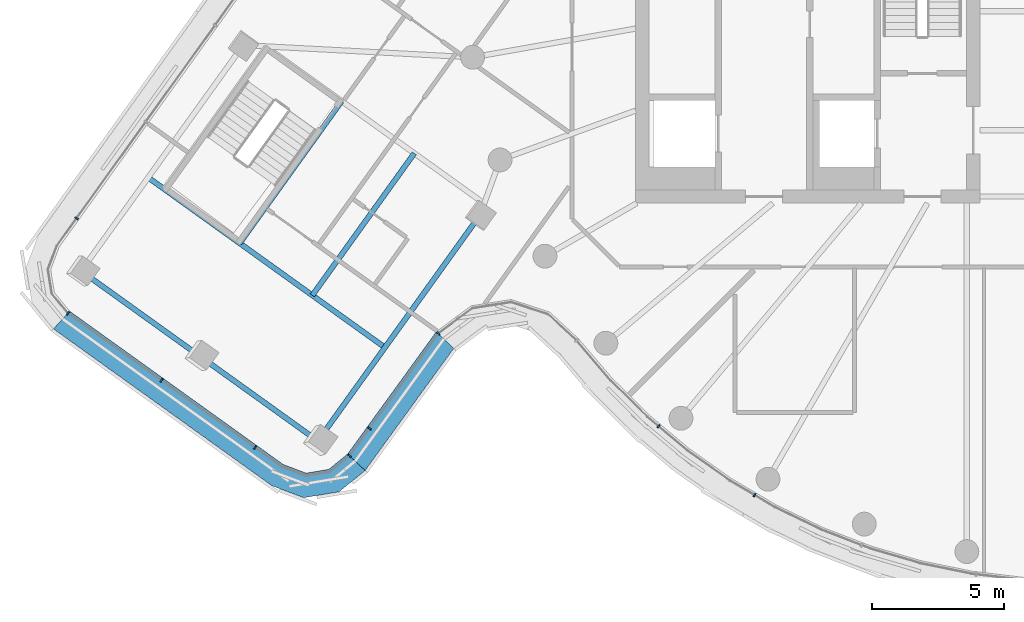
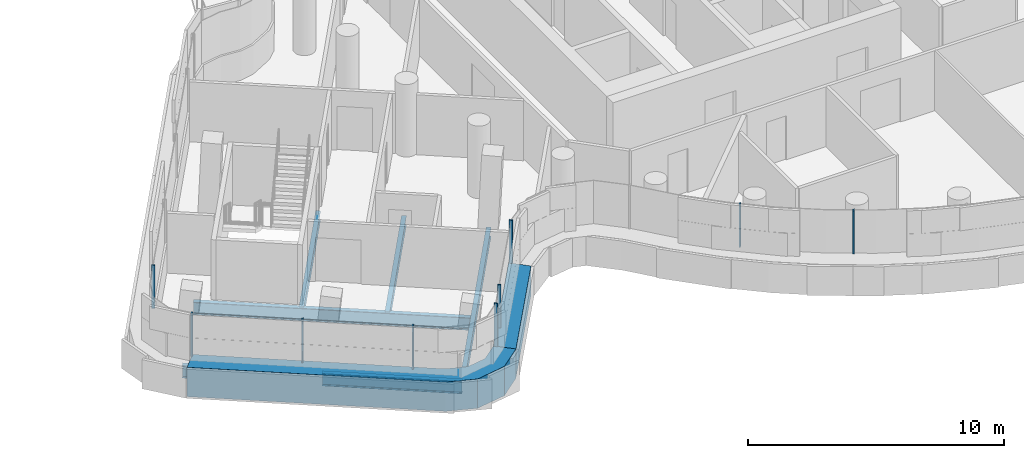
# One storey, part 2 of 27: 11 members, 6 beams, 4 elements without a shape of their own.
"""IFC4 building model written with IfcOpenShell, lengths in metres."""

from ifc_helpers import new_model, si_unit, direction, frame, origin, origin_2d, place, context, subcontext, project, spatial, polyline, rectangle, i_section, outline, extrude, material, layer, layer_set, material_profile, profile_set, type_object, element, aggregate, save


model = new_model("IFC4")

# Units and contexts
model_context = context("Model", 3, precision=1e-05, world=origin(), true_north=direction((0.0, 1.0)))
body_context = subcontext(model_context, "Body", "Model", "MODEL_VIEW")
ifc_project = project(units=[si_unit("LENGTHUNIT", "METRE"), si_unit("AREAUNIT", "SQUARE_METRE"), si_unit("VOLUMEUNIT", "CUBIC_METRE"), si_unit("PLANEANGLEUNIT", "RADIAN"), si_unit("MASSUNIT", "GRAM", prefix="KILO")], contexts=[model_context])

# Site, building, storey
site_placement = place(None, origin())
site = spatial("IfcSite", under=ifc_project, at=site_placement, CompositionType="ELEMENT")
building_placement = place(site_placement, origin())
building = spatial("IfcBuilding", under=site, at=building_placement, Name="Tamarind Cross Interchange Tower", CompositionType="ELEMENT")
storey_placement = place(building_placement, frame((0.0, 0.0, 230.699951171875)))
storey = spatial("IfcBuildingStorey", under=building, at=storey_placement, Name="L58", CompositionType="ELEMENT", Elevation=230.699951171875)

# Beams
ifc_material_1 = material(Name="Steel Q355B", Category="steel")
ifc_material_profile_1 = material_profile(ifc_material_1, i_section(OverallWidth=0.198974609375, OverallDepth=0.446044921875, WebThickness=0.008056640625, FlangeThickness=0.011962890625, FilletRadius=0.012939453125, at=origin_2d()), Name="HN 446x199x8x12")
ifc_profile_set_1 = profile_set([ifc_material_profile_1], Name="Steel Q355B")
beam_type_1 = type_object("IfcBeamType", Name="Composite beam HN 446x199x8x12 Q355B", PredefinedType="BEAM", material=ifc_profile_set_1)
beam_1_placement = place(storey_placement, frame((-28.490234375, -18.473876953125, -0.363037109375), z_axis=(0.583122923819, 0.81238393369, 0.0), x_axis=(-0.81238393369, 0.583122923819, 0.0)))
element("IfcBeam", 1, at=beam_1_placement, inside=storey, type_object=beam_type_1, Name="Beam W-edgeep2", PredefinedType="BEAM", context=body_context, shape_type="SweptSolid", body=[
    extrude(i_section(OverallWidth=0.198974609375, OverallDepth=0.446044921875, WebThickness=0.008056640625, FlangeThickness=0.011962890625, FilletRadius=0.012939453125, at=origin_2d()), origin(), (0.0, 0.0, 1.0), 10.492431640625),
])
for number, where, z_axis, x_axis, name in (
    (2, (-27.593017578125, -5.6484375, -0.363037109375), (-0.583136681305, -0.812374058496, 0.0), (0.812374058496, -0.583136681305, 0.0), "Beam W-tr1"),
    (3, (-24.85107421875, -7.616455078125, -0.363037109375), (-0.583136681305, -0.812374058496, 0.0), (0.812374058496, -0.583136681305, 0.0), "Beam W-stripp"),
):
    element("IfcBeam", number, at=place(storey_placement, frame(where, z_axis=z_axis, x_axis=x_axis)), inside=storey, type_object=beam_type_1, Name=name, PredefinedType="BEAM", context=body_context, shape_type="SweptSolid", body=[
        extrude(i_section(OverallWidth=0.198974609375, OverallDepth=0.446044921875, WebThickness=0.008056640625, FlangeThickness=0.011962890625, FilletRadius=0.012939453125, at=origin_2d()), origin(), (0.0, 0.0, 1.0), 6.599853515625),
    ])
ifc_material_profile_2 = material_profile(ifc_material_1, i_section(OverallWidth=0.198974609375, OverallDepth=0.595947265625, WebThickness=0.010009765625, FlangeThickness=0.014892578125, FilletRadius=0.012939453125, at=origin_2d()), Name="HN 596x199x10x15")
ifc_profile_set_2 = profile_set([ifc_material_profile_2], Name="Steel Q355B")
beam_type_2 = type_object("IfcBeamType", Name="Composite beam HN 596x199x10x15 Q355B", PredefinedType="BEAM", material=ifc_profile_set_2)
for number, where, z_axis, x_axis, name in (
    (4, (-37.426513671875, -12.0595703125, -0.43798828125), (0.812405686163, -0.583092617935, 0.0), (0.583092617935, 0.812405686163, 0.0), "Beam W-tip0"),
    (5, (-32.958251953125, -15.2666015625, -0.43798828125), (0.812369564776, -0.583142941504, 0.0), (0.583142941504, 0.812369564776, 0.0), "Beam W-tip1"),
):
    element("IfcBeam", number, at=place(storey_placement, frame(where, z_axis=z_axis, x_axis=x_axis)), inside=storey, type_object=beam_type_2, Name=name, PredefinedType="BEAM", context=body_context, shape_type="SweptSolid", body=[
        extrude(i_section(OverallWidth=0.198974609375, OverallDepth=0.595947265625, WebThickness=0.010009765625, FlangeThickness=0.014892578125, FilletRadius=0.012939453125, at=origin_2d()), origin(), (0.0, 0.0, 1.0), 5.5),
    ])
beam_2_placement = place(storey_placement, frame((-34.894287109375, -8.53173828125, -0.43798828125), z_axis=(0.812387625951, -0.583117779871, 0.0), x_axis=(0.583117779871, 0.812387625951, 0.0)))
element("IfcBeam", 6, at=beam_2_placement, inside=storey, type_object=beam_type_2, Name="Beam W-x364", PredefinedType="BEAM", context=body_context, shape_type="SweptSolid", body=[
    extrude(i_section(OverallWidth=0.198974609375, OverallDepth=0.595947265625, WebThickness=0.010009765625, FlangeThickness=0.014892578125, FilletRadius=0.012939453125, at=origin_2d()), origin(), (0.0, 0.0, 1.0), 11.0),
])

# Curtain wall, member
ifc_material_2 = material(Name="Aluminium 6063-T6", Category="aluminium")
ifc_layer = layer(ifc_material_2, 0.139892578125)
ifc_layer_set = layer_set([ifc_layer], Name="Aluminium 6063-T6")
curtain_wall_type = type_object("IfcCurtainWallType", Name="Hotel curtain wall, 4.5 m bays", PredefinedType="NOTDEFINED", material=ifc_layer_set)
curtain_wall_1_placement = place(storey_placement, origin())
curtain_wall_1 = element("IfcCurtainWall", 7, at=curtain_wall_1_placement, inside=storey, type_object=curtain_wall_type, Name="CWS-L58-00", PredefinedType="NOTDEFINED")
ifc_material_3 = material(Name="Aluminium and insulated spandrel panel", Category="aluminium")
member_type_1 = type_object("IfcMemberType", Name="Floor-edge blade transom", PredefinedType="USERDEFINED", material=ifc_material_3)
member_1_placement = place(storey_placement, origin())
member_1 = element("IfcMember", 8, at=member_1_placement, type_object=member_type_1, Name="CWT-L58-00", ObjectType="TRANSOM", PredefinedType="USERDEFINED", context=body_context, shape_type="SweptSolid", body=[
    extrude(outline(polyline([(-37.85400390625, -13.58056640625), (-29.79443359375, -19.36572265625), (-28.93798828125, -19.688720703125), (-28.074951171875, -19.547119140625), (-27.3662109375, -18.96630859375), (-26.7060546875, -19.5888671875), (-27.691162109375, -20.39599609375), (-29.030029296875, -20.615966796875), (-30.222900390625, -20.166015625), (-38.47509765625, -14.24267578125), (-37.85400390625, -13.58056640625)])), origin(), (0.0, 0.0, 1.0), 1.400146484375),
])

curtain_wall_2_placement = place(storey_placement, origin())
curtain_wall_2 = element("IfcCurtainWall", 9, at=curtain_wall_2_placement, inside=storey, type_object=curtain_wall_type, Name="CWS-L58-01", PredefinedType="NOTDEFINED")
member_2_placement = place(storey_placement, origin())
member_2 = element("IfcMember", 10, at=member_2_placement, type_object=member_type_1, Name="CWT-L58-01", ObjectType="TRANSOM", PredefinedType="USERDEFINED", context=body_context, shape_type="SweptSolid", body=[
    extrude(outline(polyline([(-27.3662109375, -18.96630859375), (-24.0146484375, -14.344970703125), (-23.3671875, -14.985107421875), (-26.7060546875, -19.5888671875), (-27.3662109375, -18.96630859375)])), origin(), (0.0, 0.0, 1.0), 1.400146484375),
])

# Member
ifc_material_profile_3 = material_profile(ifc_material_2, rectangle(XDim=0.06005859375, YDim=0.139892578125, at=origin_2d()), Name="Mullion CW2")
ifc_profile_set_3 = profile_set([ifc_material_profile_3], Name="Aluminium 6063-T6")
member_type_2 = type_object("IfcMemberType", Name="Mullion CW2", PredefinedType="MULLION", material=ifc_profile_set_3)
member_3_placement = place(storey_placement, frame((-37.923095703125, -13.654052734375, 1.400146484375), z_axis=(0.0, 0.0, 1.0), x_axis=(0.729322179113, -0.684170416675, 0.0)))
member_3 = element("IfcMember", 11, at=member_3_placement, type_object=member_type_2, Name="CWM-L58-00-00", PredefinedType="MULLION", context=body_context, shape_type="SweptSolid", body=[
    extrude(rectangle(XDim=0.06005859375, YDim=0.139892578125, at=origin_2d()), origin(), (0.0, 0.0, 1.0), 2.059814453125),
])

member_4_placement = place(storey_placement, frame((-34.392822265625, -16.18798828125, 1.400146484375), z_axis=(0.0, 0.0, 1.0), x_axis=(0.812384886086, -0.583121596975, 0.0)))
member_4 = element("IfcMember", 12, at=member_4_placement, type_object=member_type_2, Name="CWM-L58-00-01", PredefinedType="MULLION", context=body_context, shape_type="SweptSolid", body=[
    extrude(rectangle(XDim=0.06005859375, YDim=0.139892578125, at=origin_2d()), origin(), (0.0, 0.0, 1.0), 2.059814453125),
])

member_5_placement = place(storey_placement, frame((-30.862548828125, -18.72216796875, 1.400146484375), z_axis=(0.0, 0.0, 1.0), x_axis=(0.812384886086, -0.583121596975, 0.0)))
member_5 = element("IfcMember", 13, at=member_5_placement, type_object=member_type_2, Name="CWM-L58-00-02", PredefinedType="MULLION", context=body_context, shape_type="SweptSolid", body=[
    extrude(rectangle(XDim=0.06005859375, YDim=0.139892578125, at=origin_2d()), origin(), (0.0, 0.0, 1.0), 2.059814453125),
])

aggregate(curtain_wall_1, [member_3, member_4, member_5, member_1])

member_6_placement = place(storey_placement, frame((-27.29296875, -19.03564453125, 1.400146484375), z_axis=(0.0, 0.0, 1.0), x_axis=(0.68595544174, 0.727643547314, 0.0)))
member_6 = element("IfcMember", 14, at=member_6_placement, type_object=member_type_2, Name="CWM-L58-01-00", PredefinedType="MULLION", context=body_context, shape_type="SweptSolid", body=[
    extrude(rectangle(XDim=0.06005859375, YDim=0.139892578125, at=origin_2d()), origin(), (0.0, 0.0, 1.0), 2.059814453125),
])

member_7_placement = place(storey_placement, frame((-26.542236328125, -18.00048828125, 1.400146484375), z_axis=(0.0, 0.0, 1.0), x_axis=(0.587095802606, 0.809517460319, 0.0)))
member_7 = element("IfcMember", 15, at=member_7_placement, type_object=member_type_2, Name="CWM-L58-01-01", PredefinedType="MULLION", context=body_context, shape_type="SweptSolid", body=[
    extrude(rectangle(XDim=0.06005859375, YDim=0.139892578125, at=origin_2d()), origin(), (0.0, 0.0, 1.0), 2.059814453125),
])

aggregate(curtain_wall_2, [member_6, member_7, member_2])

# Curtain wall, members
curtain_wall_3_placement = place(storey_placement, origin())
curtain_wall_3 = element("IfcCurtainWall", 16, at=curtain_wall_3_placement, inside=storey, type_object=curtain_wall_type, Name="CWS-L58-02", PredefinedType="NOTDEFINED")
member_8_placement = place(storey_placement, frame((-23.942626953125, -14.416015625, 1.400146484375), z_axis=(0.0, 0.0, 1.0), x_axis=(0.703191995883, 0.711000011903, 0.0)))
member_8 = element("IfcMember", 17, at=member_8_placement, type_object=member_type_2, Name="CWM-L58-02-00", PredefinedType="MULLION", context=body_context, shape_type="SweptSolid", body=[
    extrude(rectangle(XDim=0.06005859375, YDim=0.139892578125, at=origin_2d()), origin(), (0.0, 0.0, 1.0), 2.059814453125),
])
member_9_placement = place(storey_placement, frame((-15.62939453125, -17.921875, 1.400146484375), z_axis=(0.0, 0.0, 1.0), x_axis=(0.765858396687, -0.643009266048, 0.0)))
member_9 = element("IfcMember", 18, at=member_9_placement, type_object=member_type_2, Name="CWM-L58-02-02", PredefinedType="MULLION", context=body_context, shape_type="SweptSolid", body=[
    extrude(rectangle(XDim=0.06005859375, YDim=0.139892578125, at=origin_2d()), origin(), (0.0, 0.0, 1.0), 2.059814453125),
])
member_10_placement = place(storey_placement, frame((-12.0068359375, -20.521240234375, 1.400146484375), z_axis=(0.0, 0.0, 1.0), x_axis=(0.861248933065, -0.508183308752, 0.0)))
member_10 = element("IfcMember", 19, at=member_10_placement, type_object=member_type_2, Name="CWM-L58-02-03", PredefinedType="MULLION", context=body_context, shape_type="SweptSolid", body=[
    extrude(rectangle(XDim=0.06005859375, YDim=0.139892578125, at=origin_2d()), origin(), (0.0, 0.0, 1.0), 2.059814453125),
])
aggregate(curtain_wall_3, [member_8, member_9, member_10])

# Curtain wall, member
curtain_wall_4_placement = place(storey_placement, origin())
curtain_wall_4 = element("IfcCurtainWall", 20, at=curtain_wall_4_placement, inside=storey, type_object=curtain_wall_type, Name="CWS-L58-07", PredefinedType="NOTDEFINED")
member_11_placement = place(storey_placement, frame((-37.59912109375, -10.07080078125, 1.400146484375), z_axis=(0.0, 0.0, 1.0), x_axis=(-0.583121596975, -0.812384886086, 0.0)))
member_11 = element("IfcMember", 21, at=member_11_placement, type_object=member_type_2, Name="CWM-L58-07-04", PredefinedType="MULLION", context=body_context, shape_type="SweptSolid", body=[
    extrude(rectangle(XDim=0.06005859375, YDim=0.139892578125, at=origin_2d()), origin(), (0.0, 0.0, 1.0), 2.059814453125),
])
aggregate(curtain_wall_4, [member_11])

save(model, "model.ifc")
